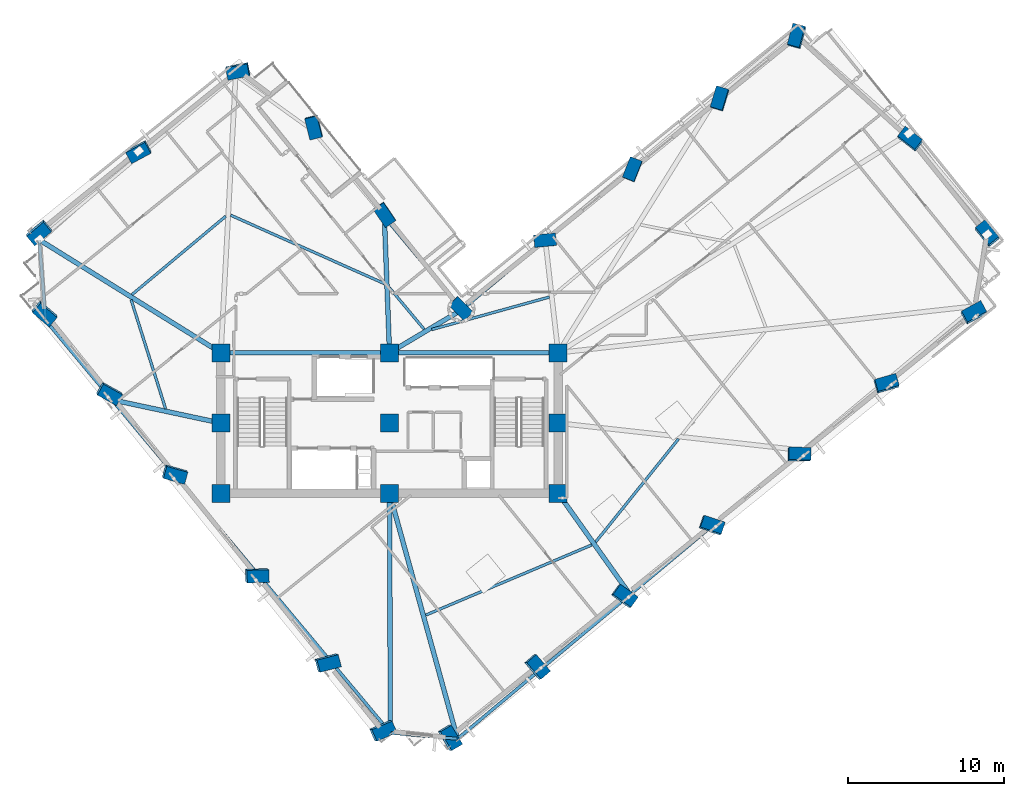
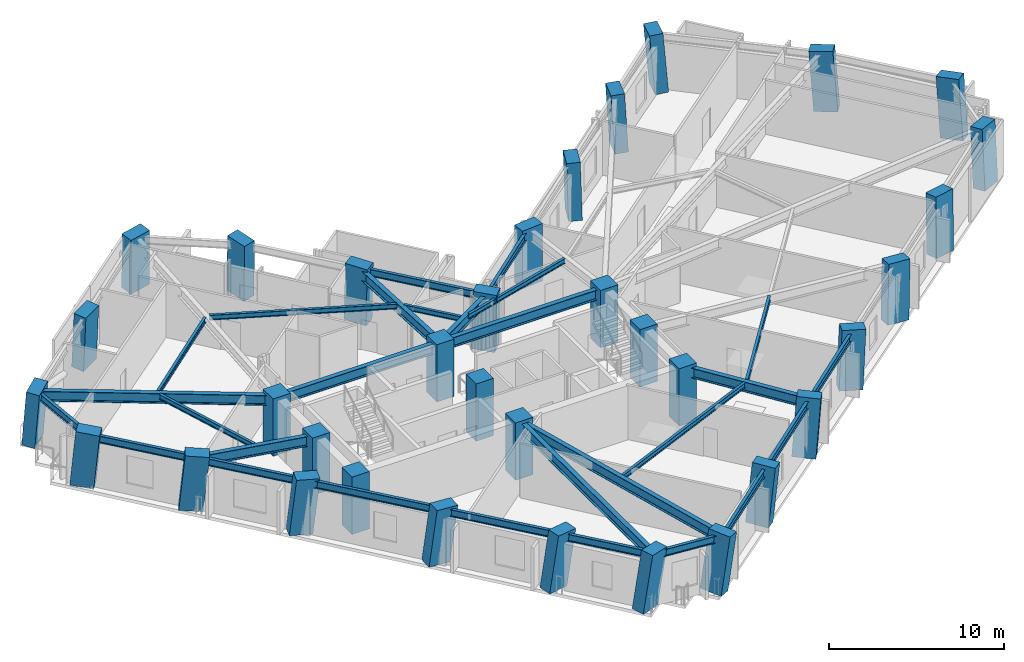
# One storey, part 1 of 14: 34 columns, 28 beams.
"""IFC4 building model written with IfcOpenShell, lengths in metres."""

from ifc_helpers import new_model, si_unit, direction, frame, origin, origin_2d, place, context, subcontext, project, spatial, rectangle, i_section, extrude, material, material_profile, profile_set, type_object, element, save


model = new_model("IFC4")

# Units and contexts
model_context = context("Model", 3, precision=1e-05, world=origin(), true_north=direction((0.0, 1.0)))
body_context = subcontext(model_context, "Body", "Model", "MODEL_VIEW")
ifc_project = project(units=[si_unit("LENGTHUNIT", "METRE"), si_unit("AREAUNIT", "SQUARE_METRE"), si_unit("VOLUMEUNIT", "CUBIC_METRE"), si_unit("PLANEANGLEUNIT", "RADIAN"), si_unit("MASSUNIT", "GRAM", prefix="KILO")], contexts=[model_context])

# Site, building, storey
site_placement = place(None, origin())
site = spatial("IfcSite", under=ifc_project, at=site_placement, CompositionType="ELEMENT")
building_placement = place(site_placement, origin())
building = spatial("IfcBuilding", under=site, at=building_placement, Name="Gaonmaruhae Medical Tower", CompositionType="ELEMENT")
storey_placement = place(building_placement, frame((0.0, 0.0, 189.800048828125)))
storey = spatial("IfcBuildingStorey", under=building, at=storey_placement, Name="L45", CompositionType="ELEMENT", Elevation=189.800048828125)

# Columns
ifc_material_1 = material(Name="Concrete C50/60", Category="concrete")
ifc_material_profile_1 = material_profile(ifc_material_1, rectangle(XDim=1.14990234375, YDim=1.14990234375, at=origin_2d()), Name="RC-1150x1150")
ifc_profile_set_1 = profile_set([ifc_material_profile_1], Name="Concrete C50/60")
column_type_1 = type_object("IfcColumnType", Name="CC-04 Zone 3 Core Column (RC-1150x1150)", PredefinedType="COLUMN", material=ifc_profile_set_1)
for number, where, z_axis, x_axis, name in (
    (1, (14.0, 7.800048828125, 0.0), (0.0, 0.0, 1.0), (1.0, 0.0, 0.0), "L45 Plumb Core Column CC11"),
    (2, (14.0, 12.300048828125, 0.0), (0.0, 0.0, 1.0), (1.0, 0.0, 0.0), "L45 Plumb Core Column CC12"),
    (3, (14.0, 16.800048828125, 0.0), (0.0, 0.0, 1.0), (1.0, 0.0, 0.0), "L45 Plumb Core Column CC13"),
    (4, (24.800048828125, 7.800048828125, 0.0), (0.0, 0.0, 1.0), (1.0, 0.0, 0.0), "L45 Plumb Core Column CC21"),
    (5, (24.800048828125, 12.300048828125, 0.0), (0.0, 0.0, 1.0), (1.0, 0.0, 0.0), "L45 Plumb Core Column CC22"),
    (6, (24.800048828125, 16.800048828125, 0.0), (0.0, 0.0, 1.0), (1.0, 0.0, 0.0), "L45 Plumb Core Column CC23"),
    (7, (35.60009765625, 7.800048828125, 0.0), (0.0, 0.0, 1.0), (1.0, 0.0, 0.0), "L45 Plumb Core Column CC31"),
    (8, (35.60009765625, 12.300048828125, 0.0), (0.0, 0.0, 1.0), (1.0, 0.0, 0.0), "L45 Plumb Core Column CC32"),
    (9, (35.60009765625, 16.800048828125, 0.0), (0.0, 0.0, 1.0), (1.0, 0.0, 0.0), "L45 Plumb Core Column CC33"),
):
    element("IfcColumn", number, at=place(storey_placement, frame(where, z_axis=z_axis, x_axis=x_axis)), inside=storey, type_object=column_type_1, Name=name, PredefinedType="COLUMN", context=body_context, shape_type="SweptSolid", body=[
        extrude(rectangle(XDim=1.14990234375, YDim=1.14990234375, at=origin_2d()), origin(), (0.0, 0.0, 1.0), 4.0),
    ])
ifc_material_2 = material(Name="Concrete C60/75", Category="concrete")
ifc_material_profile_2 = material_profile(ifc_material_2, rectangle(XDim=1.39990234375, YDim=0.800048828125, at=origin_2d()), Name="RC-1400x800")
ifc_profile_set_2 = profile_set([ifc_material_profile_2], Name="Concrete C60/75")
column_type_2 = type_object("IfcColumnType", Name="TC-02 Mid Raking Tube Pier Column (RC-1400x800)", PredefinedType="COLUMN", material=ifc_profile_set_2)
column_1_placement = place(storey_placement, frame((28.61181640625, -7.842529296875, 0.001708984375), z_axis=(0.134188369459, -0.01936864151, 0.990766540224), x_axis=(-0.505348543025, 0.858695864403, 0.085230643075)))
element("IfcColumn", 10, at=column_1_placement, inside=storey, type_object=column_type_2, Name="L45 Perimeter Tube Column S01", PredefinedType="COLUMN", context=body_context, shape_type="SweptSolid", body=[
    extrude(rectangle(XDim=1.39990234375, YDim=0.800048828125, at=origin_2d()), origin(), (0.0, 0.0, 1.0), 4.03369140625),
])
column_2_placement = place(storey_placement, frame((34.211181640625, -3.31640625, 0.001708984375), z_axis=(0.11571734579, 0.003519457816, 0.993275948214), x_axis=(-0.647768426001, 0.758353063071, 0.072778417174)))
element("IfcColumn", 11, at=column_2_placement, inside=storey, type_object=column_type_2, Name="L45 Perimeter Tube Column S02", PredefinedType="COLUMN", context=body_context, shape_type="SweptSolid", body=[
    extrude(rectangle(XDim=1.39990234375, YDim=0.800048828125, at=origin_2d()), origin(), (0.0, 0.0, 1.0), 4.0234375),
])
column_3_placement = place(storey_placement, frame((39.810546875, 1.2099609375, 0.001708984375), z_axis=(0.097067643162, 0.026379058943, 0.994928147104), x_axis=(-0.807512006484, 0.586451896381, 0.063233951452)))
element("IfcColumn", 12, at=column_3_placement, inside=storey, type_object=column_type_2, Name="L45 Perimeter Tube Column S03", PredefinedType="COLUMN", context=body_context, shape_type="SweptSolid", body=[
    extrude(rectangle(XDim=1.39990234375, YDim=0.800048828125, at=origin_2d()), origin(), (0.0, 0.0, 1.0), 4.0166015625),
])
column_4_placement = place(storey_placement, frame((45.409912109375, 5.736083984375, 0.001708984375), z_axis=(0.078286659475, 0.049392981735, 0.995706549292), x_axis=(-0.944360032842, 0.323725114048, 0.058190883356)))
element("IfcColumn", 13, at=column_4_placement, inside=storey, type_object=column_type_2, Name="L45 Perimeter Tube Column S04", PredefinedType="COLUMN", context=body_context, shape_type="SweptSolid", body=[
    extrude(rectangle(XDim=1.39990234375, YDim=0.800048828125, at=origin_2d()), origin(), (0.0, 0.0, 1.0), 4.013671875),
])
column_5_placement = place(storey_placement, frame((51.00927734375, 10.262451171875, 0.001708984375), z_axis=(0.059363348955, 0.072318669987, 0.995613380169), x_axis=(-0.998222050572, 0.009656049796, 0.058817501262)))
element("IfcColumn", 14, at=column_5_placement, inside=storey, type_object=column_type_2, Name="L45 Perimeter Tube Column S05", PredefinedType="COLUMN", context=body_context, shape_type="SweptSolid", body=[
    extrude(rectangle(XDim=1.39990234375, YDim=0.800048828125, at=origin_2d()), origin(), (0.0, 0.0, 1.0), 4.013916015625),
])
column_6_placement = place(storey_placement, frame((56.608642578125, 14.788818359375, 0.001708984375), z_axis=(0.040468561583, 0.095155806966, 0.994639466301), x_axis=(-0.960371938901, -0.271035474756, 0.065003926005)))
element("IfcColumn", 15, at=column_6_placement, inside=storey, type_object=column_type_2, Name="L45 Perimeter Tube Column S06", PredefinedType="COLUMN", context=body_context, shape_type="SweptSolid", body=[
    extrude(rectangle(XDim=1.39990234375, YDim=0.800048828125, at=origin_2d()), origin(), (0.0, 0.0, 1.0), 4.017822265625),
])
column_7_placement = place(storey_placement, frame((62.2080078125, 19.31494140625, 0.001708984375), z_axis=(0.021591623712, 0.117904821617, 0.992790136345), x_axis=(-0.87739579049, -0.473812861045, 0.075352501881)))
element("IfcColumn", 16, at=column_7_placement, inside=storey, type_object=column_type_2, Name="L45 Perimeter Tube Column S07", PredefinedType="COLUMN", context=body_context, shape_type="SweptSolid", body=[
    extrude(rectangle(XDim=1.39990234375, YDim=0.800048828125, at=origin_2d()), origin(), (0.0, 0.0, 1.0), 4.025390625),
])
column_8_placement = place(storey_placement, frame((63.064697265625, 24.37939453125, 0.001708984375), z_axis=(0.00072768673, 0.121220481061, 0.992625339916), x_axis=(0.623996645907, -0.775719377795, 0.09427424256)))
element("IfcColumn", 17, at=column_8_placement, inside=storey, type_object=column_type_2, Name="L45 Perimeter Tube Column E01", PredefinedType="COLUMN", context=body_context, shape_type="SweptSolid", body=[
    extrude(rectangle(XDim=1.39990234375, YDim=0.800048828125, at=origin_2d()), origin(), (0.0, 0.0, 1.0), 4.026123046875),
])
column_9_placement = place(storey_placement, frame((58.1611328125, 30.4453125, 0.001708984375), z_axis=(-0.024061064309, 0.101105078309, 0.994584751705), x_axis=(0.790635707112, -0.606928768275, 0.080824803618)))
element("IfcColumn", 18, at=column_9_placement, inside=storey, type_object=column_type_2, Name="L45 Perimeter Tube Column E02", PredefinedType="COLUMN", context=body_context, shape_type="SweptSolid", body=[
    extrude(rectangle(XDim=1.39990234375, YDim=0.800048828125, at=origin_2d()), origin(), (0.0, 0.0, 1.0), 4.01806640625),
])
column_10_placement = place(storey_placement, frame((50.896728515625, 37.0458984375, 0.001708984375), z_axis=(-0.051119669186, 0.071019826119, 0.996164124891), x_axis=(-0.265346985854, -0.96258245747, 0.055008996258)))
element("IfcColumn", 19, at=column_10_placement, inside=storey, type_object=column_type_2, Name="L45 Perimeter Tube Column E03", PredefinedType="COLUMN", context=body_context, shape_type="SweptSolid", body=[
    extrude(rectangle(XDim=1.39990234375, YDim=0.800048828125, at=origin_2d()), origin(), (0.0, 0.0, 1.0), 4.01171875),
])
column_11_placement = place(storey_placement, frame((45.95849609375, 33.05419921875, 0.001708984375), z_axis=(-0.034573200361, 0.050792726456, 0.998110611483), x_axis=(-0.289833245681, -0.956297423836, 0.038625469103)))
element("IfcColumn", 20, at=column_11_placement, inside=storey, type_object=column_type_2, Name="L45 Perimeter Tube Column EN01", PredefinedType="COLUMN", context=body_context, shape_type="SweptSolid", body=[
    extrude(rectangle(XDim=1.39990234375, YDim=0.800048828125, at=origin_2d()), origin(), (0.0, 0.0, 1.0), 4.00390625),
])
column_12_placement = place(storey_placement, frame((40.359130859375, 28.52783203125, 0.001708984375), z_axis=(-0.015692361565, 0.02790431609, 0.999487418096), x_axis=(-0.369875503561, -0.928863327124, 0.02012539166)))
element("IfcColumn", 21, at=column_12_placement, inside=storey, type_object=column_type_2, Name="L45 Perimeter Tube Column EN02", PredefinedType="COLUMN", context=body_context, shape_type="SweptSolid", body=[
    extrude(rectangle(XDim=1.39990234375, YDim=0.800048828125, at=origin_2d()), origin(), (0.0, 0.0, 1.0), 3.998291015625),
])
column_13_placement = place(storey_placement, frame((34.759765625, 24.00146484375, 0.001708984375), z_axis=(0.003237771962, 0.004887202961, 0.999982815892), x_axis=(-0.995513971881, -0.094542846934, 0.003685360637)))
element("IfcColumn", 22, at=column_13_placement, inside=storey, type_object=column_type_2, Name="L45 Perimeter Tube Column EN03", PredefinedType="COLUMN", context=body_context, shape_type="SweptSolid", body=[
    extrude(rectangle(XDim=1.39990234375, YDim=0.800048828125, at=origin_2d()), origin(), (0.0, 0.0, 1.0), 3.996337890625),
])
column_14_placement = place(storey_placement, frame((29.354736328125, 19.632568359375, 0.001708984375), z_axis=(0.021556852315, -0.017465325105, 0.999615058179), x_axis=(-0.70601495746, 0.707659307079, 0.027589580415)))
element("IfcColumn", 23, at=column_14_placement, inside=storey, type_object=column_type_2, Name="L45 Perimeter Tube Column KN01", PredefinedType="COLUMN", context=body_context, shape_type="SweptSolid", body=[
    extrude(rectangle(XDim=1.39990234375, YDim=0.800048828125, at=origin_2d()), origin(), (0.0, 0.0, 1.0), 3.997802734375),
])
column_15_placement = place(storey_placement, frame((24.482666015625, 25.65966796875, 0.001708984375), z_axis=(-0.003235498094, -0.037788175848, 0.999280533843), x_axis=(-0.560052946026, 0.827931598079, 0.029495195374)))
element("IfcColumn", 24, at=column_15_placement, inside=storey, type_object=column_type_2, Name="L45 Perimeter Tube Column NE01", PredefinedType="COLUMN", context=body_context, shape_type="SweptSolid", body=[
    extrude(rectangle(XDim=1.39990234375, YDim=0.800048828125, at=origin_2d()), origin(), (0.0, 0.0, 1.0), 3.999267578125),
])
column_16_placement = place(storey_placement, frame((19.95654296875, 31.259033203125, 0.001708984375), z_axis=(-0.026278786715, -0.056703646508, 0.998045150202), x_axis=(-0.244001463205, 0.968556128777, 0.048603614706)))
element("IfcColumn", 25, at=column_16_placement, inside=storey, type_object=column_type_2, Name="L45 Perimeter Tube Column NE02", PredefinedType="COLUMN", context=body_context, shape_type="SweptSolid", body=[
    extrude(rectangle(XDim=1.39990234375, YDim=0.800048828125, at=origin_2d()), origin(), (0.0, 0.0, 1.0), 4.004150390625),
])
column_17_placement = place(storey_placement, frame((15.1123046875, 34.865478515625, 0.001708984375), z_axis=(-0.040897879043, -0.076683523206, 0.996216342347), x_axis=(0.980913526392, 0.186611303364, 0.054634011361)))
element("IfcColumn", 26, at=column_17_placement, inside=storey, type_object=column_type_2, Name="L45 Perimeter Tube Column N01", PredefinedType="COLUMN", context=body_context, shape_type="SweptSolid", body=[
    extrude(rectangle(XDim=1.39990234375, YDim=0.800048828125, at=origin_2d()), origin(), (0.0, 0.0, 1.0), 4.011474609375),
])
column_18_placement = place(storey_placement, frame((8.7353515625, 29.71044921875, 0.001708984375), z_axis=(-0.019381494767, -0.102618635304, 0.994531936817), x_axis=(0.880214940794, 0.470012359897, 0.06565089144)))
element("IfcColumn", 27, at=column_18_placement, inside=storey, type_object=column_type_2, Name="L45 Perimeter Tube Column N02", PredefinedType="COLUMN", context=body_context, shape_type="SweptSolid", body=[
    extrude(rectangle(XDim=1.39990234375, YDim=0.800048828125, at=origin_2d()), origin(), (0.0, 0.0, 1.0), 4.018310546875),
])
column_19_placement = place(storey_placement, frame((2.3583984375, 24.5556640625, 0.001708984375), z_axis=(0.002059888471, -0.128440104632, 0.991715128644), x_axis=(0.767597675222, 0.635824445895, 0.08075322282)))
element("IfcColumn", 28, at=column_19_placement, inside=storey, type_object=column_type_2, Name="L45 Perimeter Tube Column N03", PredefinedType="COLUMN", context=body_context, shape_type="SweptSolid", body=[
    extrude(rectangle(XDim=1.39990234375, YDim=0.800048828125, at=origin_2d()), origin(), (0.0, 0.0, 1.0), 4.02978515625),
])
column_20_placement = place(storey_placement, frame((2.697021484375, 19.364501953125, 0.001708984375), z_axis=(0.023384150033, -0.126855984896, 0.991645471236), x_axis=(-0.758030306709, 0.644458280731, 0.100317388859)))
element("IfcColumn", 29, at=column_20_placement, inside=storey, type_object=column_type_2, Name="L45 Perimeter Tube Column W01", PredefinedType="COLUMN", context=body_context, shape_type="SweptSolid", body=[
    extrude(rectangle(XDim=1.39990234375, YDim=0.800048828125, at=origin_2d()), origin(), (0.0, 0.0, 1.0), 4.030029296875),
])
column_21_placement = place(storey_placement, frame((6.845947265625, 14.231689453125, 0.001708984375), z_axis=(0.044404229048, -0.109736680802, 0.992968340547), x_axis=(-0.872402548556, 0.480039656489, 0.092063681601)))
element("IfcColumn", 30, at=column_21_placement, inside=storey, type_object=column_type_2, Name="L45 Perimeter Tube Column W02", PredefinedType="COLUMN", context=body_context, shape_type="SweptSolid", body=[
    extrude(rectangle(XDim=1.39990234375, YDim=0.800048828125, at=origin_2d()), origin(), (0.0, 0.0, 1.0), 4.024658203125),
])
column_22_placement = place(storey_placement, frame((11.026611328125, 9.06005859375, 0.001708984375), z_axis=(0.065553330319, -0.092442335256, 0.993557837036), x_axis=(-0.959753413855, 0.266656942826, 0.088133191453)))
element("IfcColumn", 31, at=column_22_placement, inside=storey, type_object=column_type_2, Name="L45 Perimeter Tube Column W03", PredefinedType="COLUMN", context=body_context, shape_type="SweptSolid", body=[
    extrude(rectangle(XDim=1.39990234375, YDim=0.800048828125, at=origin_2d()), origin(), (0.0, 0.0, 1.0), 4.022216796875),
])
column_23_placement = place(storey_placement, frame((16.275634765625, 2.56640625, 0.001708984375), z_axis=(0.09217000696, -0.070568609674, 0.993239528586), x_axis=(-0.995477724746, -0.029566027912, 0.090277070892)))
element("IfcColumn", 32, at=column_23_placement, inside=storey, type_object=column_type_2, Name="L45 Perimeter Tube Column W04", PredefinedType="COLUMN", context=body_context, shape_type="SweptSolid", body=[
    extrude(rectangle(XDim=1.39990234375, YDim=0.800048828125, at=origin_2d()), origin(), (0.0, 0.0, 1.0), 4.0234375),
])
column_24_placement = place(storey_placement, frame((20.802001953125, -3.032958984375, 0.001708984375), z_axis=(0.114905590826, -0.051695395029, 0.99203038831), x_axis=(-0.961494573096, -0.256761387192, 0.097988652167)))
element("IfcColumn", 33, at=column_24_placement, inside=storey, type_object=column_type_2, Name="L45 Perimeter Tube Column W05", PredefinedType="COLUMN", context=body_context, shape_type="SweptSolid", body=[
    extrude(rectangle(XDim=1.39990234375, YDim=0.800048828125, at=origin_2d()), origin(), (0.0, 0.0, 1.0), 4.028564453125),
])
column_25_placement = place(storey_placement, frame((24.322509765625, -7.387939453125, 0.001708984375), z_axis=(0.132457520683, -0.037032436116, 0.990496645067), x_axis=(-0.911120791238, -0.398017702916, 0.106961731189)))
element("IfcColumn", 34, at=column_25_placement, inside=storey, type_object=column_type_2, Name="L45 Perimeter Tube Column W06", PredefinedType="COLUMN", context=body_context, shape_type="SweptSolid", body=[
    extrude(rectangle(XDim=1.39990234375, YDim=0.800048828125, at=origin_2d()), origin(), (0.0, 0.0, 1.0), 4.03466796875),
])

# Beams
ifc_material_3 = material(Name="Steel SM355", Category="steel")
ifc_material_profile_3 = material_profile(ifc_material_3, i_section(OverallWidth=0.175048828125, OverallDepth=0.35009765625, WebThickness=0.007080078125, FlangeThickness=0.010986328125, FilletRadius=0.012939453125, at=origin_2d()), Name="H-350x175x7x11")
ifc_profile_set_3 = profile_set([ifc_material_profile_3], Name="Steel SM355")
beam_type_1 = type_object("IfcBeamType", Name="FJ-02 Upper Zone Ward Floor Joist (H-350x175x7x11)", PredefinedType="JOIST", material=ifc_profile_set_3)
beam_1_placement = place(storey_placement, frame((27.12158203125, 0.0009765625, 3.60498046875), z_axis=(0.921067055994, 0.389404004039, 0.0), x_axis=(-0.389404004039, 0.921067055994, 0.0)))
element("IfcBeam", 35, at=beam_1_placement, inside=storey, type_object=beam_type_1, Name="L45 Secondary Floor Joist FJ01", PredefinedType="JOIST", context=body_context, shape_type="SweptSolid", body=[
    extrude(i_section(OverallWidth=0.175048828125, OverallDepth=0.35009765625, WebThickness=0.007080078125, FlangeThickness=0.010986328125, FilletRadius=0.012939453125, at=origin_2d()), origin(), (0.0, 0.0, 1.0), 11.54296875),
])
beam_2_placement = place(storey_placement, frame((38.001708984375, 4.68408203125, 3.60498046875), z_axis=(0.626696996402, 0.779263033064, 0.0), x_axis=(-0.779263033064, 0.626696996402, 0.0)))
element("IfcBeam", 36, at=beam_2_placement, inside=storey, type_object=beam_type_1, Name="L45 Secondary Floor Joist FJ02", PredefinedType="JOIST", context=body_context, shape_type="SweptSolid", body=[
    extrude(i_section(OverallWidth=0.175048828125, OverallDepth=0.35009765625, WebThickness=0.007080078125, FlangeThickness=0.010986328125, FilletRadius=0.012939453125, at=origin_2d()), origin(), (0.0, 0.0, 1.0), 8.468505859375),
])
beam_3_placement = place(storey_placement, frame((35.034423828125, 20.368408203125, 3.60498046875), z_axis=(-0.963869543802, -0.266374740789, 0.0), x_axis=(0.266374740789, -0.963869543802, 0.0)))
element("IfcBeam", 37, at=beam_3_placement, inside=storey, type_object=beam_type_1, Name="L45 Secondary Floor Joist FJ07", PredefinedType="JOIST", context=body_context, shape_type="SweptSolid", body=[
    extrude(i_section(OverallWidth=0.175048828125, OverallDepth=0.35009765625, WebThickness=0.007080078125, FlangeThickness=0.010986328125, FilletRadius=0.012939453125, at=origin_2d()), origin(), (0.0, 0.0, 1.0), 7.809814453125),
])
beam_4_placement = place(storey_placement, frame((27.019287109375, 18.302490234375, 3.60498046875), z_axis=(-0.641479087, 0.767140522292, 0.0), x_axis=(-0.767140522292, -0.641479087, 0.0)))
element("IfcBeam", 38, at=beam_4_placement, inside=storey, type_object=beam_type_1, Name="L45 Secondary Floor Joist FJ08", PredefinedType="JOIST", context=body_context, shape_type="SweptSolid", body=[
    extrude(i_section(OverallWidth=0.175048828125, OverallDepth=0.35009765625, WebThickness=0.007080078125, FlangeThickness=0.010986328125, FilletRadius=0.012939453125, at=origin_2d()), origin(), (0.0, 0.0, 1.0), 3.466064453125),
])
beam_5_placement = place(storey_placement, frame((24.476806640625, 21.224609375, 3.60498046875), z_axis=(-0.913520949489, 0.406791684828, 0.0), x_axis=(-0.406791684828, -0.913520949489, 0.0)))
element("IfcBeam", 39, at=beam_5_placement, inside=storey, type_object=beam_type_1, Name="L45 Secondary Floor Joist FJ09", PredefinedType="JOIST", context=body_context, shape_type="SweptSolid", body=[
    extrude(i_section(OverallWidth=0.175048828125, OverallDepth=0.35009765625, WebThickness=0.007080078125, FlangeThickness=0.010986328125, FilletRadius=0.012939453125, at=origin_2d()), origin(), (0.0, 0.0, 1.0), 10.783203125),
])
beam_6_placement = place(storey_placement, frame((14.312255859375, 25.54345703125, 3.60498046875), z_axis=(-0.767174290438, -0.641438701741, 0.0), x_axis=(0.641438701741, -0.767174290438, 0.0)))
element("IfcBeam", 40, at=beam_6_placement, inside=storey, type_object=beam_type_1, Name="L45 Secondary Floor Joist FJ10", PredefinedType="JOIST", context=body_context, shape_type="SweptSolid", body=[
    extrude(i_section(OverallWidth=0.175048828125, OverallDepth=0.35009765625, WebThickness=0.007080078125, FlangeThickness=0.010986328125, FilletRadius=0.012939453125, at=origin_2d()), origin(), (0.0, 0.0, 1.0), 7.824951171875),
])
beam_7_placement = place(storey_placement, frame((8.254638671875, 20.193359375, 3.60498046875), z_axis=(0.301185653062, -0.953565520764, 0.0), x_axis=(0.953565520764, 0.301185653062, 0.0)))
element("IfcBeam", 41, at=beam_7_placement, inside=storey, type_object=beam_type_1, Name="L45 Secondary Floor Joist FJ11", PredefinedType="JOIST", context=body_context, shape_type="SweptSolid", body=[
    extrude(i_section(OverallWidth=0.175048828125, OverallDepth=0.35009765625, WebThickness=0.007080078125, FlangeThickness=0.010986328125, FilletRadius=0.012939453125, at=origin_2d()), origin(), (0.0, 0.0, 1.0), 7.318115234375),
])
ifc_material_4 = material(Name="Steel SM420", Category="steel")
ifc_material_profile_4 = material_profile(ifc_material_4, i_section(OverallWidth=0.300048828125, OverallDepth=0.699951171875, WebThickness=0.012939453125, FlangeThickness=0.02392578125, FilletRadius=0.01806640625, at=origin_2d()), Name="H-700x300x13x24")
ifc_profile_set_4 = profile_set([ifc_material_profile_4], Name="Steel SM420")
beam_type_2 = type_object("IfcBeamType", Name="PG-03 Zone 3 Radial Floor Girder (H-700x300x13x24)", PredefinedType="BEAM", material=ifc_profile_set_4)
for number, where, z_axis, x_axis, name in (
    (42, (14.050048828125, 16.800048828125, 3.429931640625), (1.0, 0.0, 0.0), (0.0, 1.0, 0.0), "L45 Beam BM-L45-CG-N1"),
    (43, (24.85009765625, 16.800048828125, 3.429931640625), (1.0, 0.0, 0.0), (0.0, 1.0, 0.0), "L45 Beam BM-L45-CG-N2"),
):
    element("IfcBeam", number, at=place(storey_placement, frame(where, z_axis=z_axis, x_axis=x_axis)), inside=storey, type_object=beam_type_2, Name=name, PredefinedType="BEAM", context=body_context, shape_type="SweptSolid", body=[
        extrude(i_section(OverallWidth=0.300048828125, OverallDepth=0.699951171875, WebThickness=0.012939453125, FlangeThickness=0.02392578125, FilletRadius=0.01806640625, at=origin_2d()), origin(), (0.0, 0.0, 1.0), 10.699951171875),
    ])
beam_8_placement = place(storey_placement, frame((24.813232421875, 7.751708984375, 3.429931640625), z_axis=(0.266889626542, -0.96372710206, 0.0), x_axis=(0.96372710206, 0.266889626542, 0.0)))
element("IfcBeam", 44, at=beam_8_placement, inside=storey, type_object=beam_type_2, Name="L45 Radial Primary Girder S01", PredefinedType="BEAM", context=body_context, shape_type="SweptSolid", body=[
    extrude(i_section(OverallWidth=0.300048828125, OverallDepth=0.699951171875, WebThickness=0.012939453125, FlangeThickness=0.02392578125, FilletRadius=0.01806640625, at=origin_2d()), origin(), (0.0, 0.0, 1.0), 16.21240234375),
])
beam_9_placement = place(storey_placement, frame((35.62890625, 7.75927734375, 3.429931640625), z_axis=(0.57867294527, -0.815559698865, 0.0), x_axis=(0.815559698865, 0.57867294527, 0.0)))
element("IfcBeam", 45, at=beam_9_placement, inside=storey, type_object=beam_type_2, Name="L45 Radial Primary Girder S03", PredefinedType="BEAM", context=body_context, shape_type="SweptSolid", body=[
    extrude(i_section(OverallWidth=0.300048828125, OverallDepth=0.699951171875, WebThickness=0.012939453125, FlangeThickness=0.02392578125, FilletRadius=0.01806640625, at=origin_2d()), origin(), (0.0, 0.0, 1.0), 7.850341796875),
])
beam_10_placement = place(storey_placement, frame((24.843017578125, 16.82568359375, 3.429931640625), z_axis=(0.859259627701, 0.511539726906, 0.0), x_axis=(-0.511539726906, 0.859259627701, 0.0)))
element("IfcBeam", 46, at=beam_10_placement, inside=storey, type_object=beam_type_2, Name="L45 Radial Primary Girder KN01", PredefinedType="BEAM", context=body_context, shape_type="SweptSolid", body=[
    extrude(i_section(OverallWidth=0.300048828125, OverallDepth=0.699951171875, WebThickness=0.012939453125, FlangeThickness=0.02392578125, FilletRadius=0.01806640625, at=origin_2d()), origin(), (0.0, 0.0, 1.0), 5.301025390625),
])
beam_11_placement = place(storey_placement, frame((24.798095703125, 16.849853515625, 3.429931640625), z_axis=(-0.037890017894, 0.999281915449, 0.0), x_axis=(-0.999281915449, -0.037890017894, 0.0)))
element("IfcBeam", 47, at=beam_11_placement, inside=storey, type_object=beam_type_2, Name="L45 Radial Primary Girder NE01", PredefinedType="BEAM", context=body_context, shape_type="SweptSolid", body=[
    extrude(i_section(OverallWidth=0.300048828125, OverallDepth=0.699951171875, WebThickness=0.012939453125, FlangeThickness=0.02392578125, FilletRadius=0.01806640625, at=origin_2d()), origin(), (0.0, 0.0, 1.0), 8.61474609375),
])
beam_12_placement = place(storey_placement, frame((13.95751953125, 16.826416015625, 3.429931640625), z_axis=(-0.849075569368, 0.528271405152, 0.0), x_axis=(-0.528271405152, -0.849075569368, 0.0)))
element("IfcBeam", 48, at=beam_12_placement, inside=storey, type_object=beam_type_2, Name="L45 Radial Primary Girder N03", PredefinedType="BEAM", context=body_context, shape_type="SweptSolid", body=[
    extrude(i_section(OverallWidth=0.300048828125, OverallDepth=0.699951171875, WebThickness=0.012939453125, FlangeThickness=0.02392578125, FilletRadius=0.01806640625, at=origin_2d()), origin(), (0.0, 0.0, 1.0), 13.60107421875),
])
beam_13_placement = place(storey_placement, frame((13.951171875, 12.310546875, 3.429931640625), z_axis=(-0.977947477803, 0.208850977155, 0.0), x_axis=(-0.208850977155, -0.977947477803, 0.0)))
element("IfcBeam", 49, at=beam_13_placement, inside=storey, type_object=beam_type_2, Name="L45 Radial Primary Girder W02", PredefinedType="BEAM", context=body_context, shape_type="SweptSolid", body=[
    extrude(i_section(OverallWidth=0.300048828125, OverallDepth=0.699951171875, WebThickness=0.012939453125, FlangeThickness=0.02392578125, FilletRadius=0.01806640625, at=origin_2d()), origin(), (0.0, 0.0, 1.0), 7.032470703125),
])
beam_14_placement = place(storey_placement, frame((24.80029296875, 7.75, 3.429931640625), z_axis=(0.003717208184, -0.999993091158, 0.0), x_axis=(0.999993091158, 0.003717208184, 0.0)))
element("IfcBeam", 50, at=beam_14_placement, inside=storey, type_object=beam_type_2, Name="L45 Radial Primary Girder W06", PredefinedType="BEAM", context=body_context, shape_type="SweptSolid", body=[
    extrude(i_section(OverallWidth=0.300048828125, OverallDepth=0.699951171875, WebThickness=0.012939453125, FlangeThickness=0.02392578125, FilletRadius=0.01806640625, at=origin_2d()), origin(), (0.0, 0.0, 1.0), 15.2373046875),
])
ifc_material_profile_5 = material_profile(ifc_material_3, i_section(OverallWidth=0.199951171875, OverallDepth=0.5, WebThickness=0.010009765625, FlangeThickness=0.01611328125, FilletRadius=0.012939453125, at=origin_2d()), Name="H-500x200x10x16")
ifc_profile_set_5 = profile_set([ifc_material_profile_5], Name="Steel SM355")
beam_type_3 = type_object("IfcBeamType", Name="SP-02 Upper Perimeter Spandrel Beam (H-500x200x10x16)", PredefinedType="SPANDREL", material=ifc_profile_set_5)
for number, where, z_axis, x_axis, name in (
    (51, (29.18408203125, -7.89501953125, 3.530029296875), (0.767177497257, 0.641434866298, 0.0), (-0.641434866298, 0.767177497257, 0.0), "L45 Perimeter Spandrel Beam S01-S02"),
    (52, (34.707763671875, -3.276611328125, 3.530029296875), (0.767160623285, 0.641455047592, 0.0), (-0.641455047592, 0.767160623285, 0.0), "L45 Perimeter Spandrel Beam S02-S03"),
):
    element("IfcBeam", number, at=place(storey_placement, frame(where, z_axis=z_axis, x_axis=x_axis)), inside=storey, type_object=beam_type_3, Name=name, PredefinedType="SPANDREL", context=body_context, shape_type="SweptSolid", body=[
        extrude(i_section(OverallWidth=0.199951171875, OverallDepth=0.5, WebThickness=0.010009765625, FlangeThickness=0.01611328125, FilletRadius=0.012939453125, at=origin_2d()), origin(), (0.0, 0.0, 1.0), 7.119873046875),
    ])
beam_15_placement = place(storey_placement, frame((40.231201171875, 1.341796875, 3.530029296875), z_axis=(0.767174731673, 0.641438174014, 0.0), x_axis=(-0.641438174014, 0.767174731673, 0.0)))
element("IfcBeam", 53, at=beam_15_placement, inside=storey, type_object=beam_type_3, Name="L45 Perimeter Spandrel Beam S03-S04", PredefinedType="SPANDREL", context=body_context, shape_type="SweptSolid", body=[
    extrude(i_section(OverallWidth=0.199951171875, OverallDepth=0.5, WebThickness=0.010009765625, FlangeThickness=0.01611328125, FilletRadius=0.012939453125, at=origin_2d()), origin(), (0.0, 0.0, 1.0), 7.1201171875),
])
beam_16_placement = place(storey_placement, frame((34.7421875, 23.995361328125, 3.530029296875), z_axis=(-0.767154130285, -0.641462812941, 0.0), x_axis=(0.641462812941, -0.767154130285, 0.0)))
element("IfcBeam", 54, at=beam_16_placement, inside=storey, type_object=beam_type_3, Name="L45 Perimeter Spandrel Beam EN03-KN01", PredefinedType="SPANDREL", context=body_context, shape_type="SweptSolid", body=[
    extrude(i_section(OverallWidth=0.199951171875, OverallDepth=0.5, WebThickness=0.010009765625, FlangeThickness=0.01611328125, FilletRadius=0.012939453125, at=origin_2d()), origin(), (0.0, 0.0, 1.0), 6.8701171875),
])
beam_17_placement = place(storey_placement, frame((29.415283203125, 19.593505859375, 3.530029296875), z_axis=(-0.641442137813, 0.767171417506, 0.0), x_axis=(-0.767171417506, -0.641442137813, 0.0)))
element("IfcBeam", 55, at=beam_17_placement, inside=storey, type_object=beam_type_3, Name="L45 Perimeter Spandrel Beam KN01-NE01", PredefinedType="SPANDREL", context=body_context, shape_type="SweptSolid", body=[
    extrude(i_section(OverallWidth=0.199951171875, OverallDepth=0.5, WebThickness=0.010009765625, FlangeThickness=0.01611328125, FilletRadius=0.012939453125, at=origin_2d()), origin(), (0.0, 0.0, 1.0), 7.670166015625),
])
beam_18_placement = place(storey_placement, frame((2.369873046875, 23.998046875, 3.530029296875), z_axis=(0.081648997807, -0.996661146608, 0.0), x_axis=(0.996661146608, 0.081648997807, 0.0)))
element("IfcBeam", 56, at=beam_18_placement, inside=storey, type_object=beam_type_3, Name="L45 Perimeter Spandrel Beam N03-W01", PredefinedType="SPANDREL", context=body_context, shape_type="SweptSolid", body=[
    extrude(i_section(OverallWidth=0.199951171875, OverallDepth=0.5, WebThickness=0.010009765625, FlangeThickness=0.01611328125, FilletRadius=0.012939453125, at=origin_2d()), origin(), (0.0, 0.0, 1.0), 5.1220703125),
])
beam_19_placement = place(storey_placement, frame((2.81689453125, 18.822509765625, 3.530029296875), z_axis=(0.641457851867, -0.767158278504, 0.0), x_axis=(0.767158278504, 0.641457851867, 0.0)))
element("IfcBeam", 57, at=beam_19_placement, inside=storey, type_object=beam_type_3, Name="L45 Perimeter Spandrel Beam W01-W02", PredefinedType="SPANDREL", context=body_context, shape_type="SweptSolid", body=[
    extrude(i_section(OverallWidth=0.199951171875, OverallDepth=0.5, WebThickness=0.010009765625, FlangeThickness=0.01611328125, FilletRadius=0.012939453125, at=origin_2d()), origin(), (0.0, 0.0, 1.0), 6.52001953125),
])
beam_20_placement = place(storey_placement, frame((7.050537109375, 13.759033203125, 3.530029296875), z_axis=(0.641451832555, -0.7671633115, 0.0), x_axis=(0.7671633115, 0.641451832555, 0.0)))
element("IfcBeam", 58, at=beam_20_placement, inside=storey, type_object=beam_type_3, Name="L45 Perimeter Spandrel Beam W02-W03", PredefinedType="SPANDREL", context=body_context, shape_type="SweptSolid", body=[
    extrude(i_section(OverallWidth=0.199951171875, OverallDepth=0.5, WebThickness=0.010009765625, FlangeThickness=0.01611328125, FilletRadius=0.012939453125, at=origin_2d()), origin(), (0.0, 0.0, 1.0), 6.570068359375),
])
beam_21_placement = place(storey_placement, frame((11.316162109375, 8.657470703125, 3.530029296875), z_axis=(0.64144086328, -0.767172483158, 0.0), x_axis=(0.767172483158, 0.64144086328, 0.0)))
element("IfcBeam", 59, at=beam_21_placement, inside=storey, type_object=beam_type_3, Name="L45 Perimeter Spandrel Beam W03-W04", PredefinedType="SPANDREL", context=body_context, shape_type="SweptSolid", body=[
    extrude(i_section(OverallWidth=0.199951171875, OverallDepth=0.5, WebThickness=0.010009765625, FlangeThickness=0.01611328125, FilletRadius=0.012939453125, at=origin_2d()), origin(), (0.0, 0.0, 1.0), 8.27001953125),
])
beam_22_placement = place(storey_placement, frame((16.67236328125, 2.251708984375, 3.530029296875), z_axis=(0.641434866298, -0.767177497257, 0.0), x_axis=(0.767177497257, 0.641434866298, 0.0)))
element("IfcBeam", 60, at=beam_22_placement, inside=storey, type_object=beam_type_3, Name="L45 Perimeter Spandrel Beam W04-W05", PredefinedType="SPANDREL", context=body_context, shape_type="SweptSolid", body=[
    extrude(i_section(OverallWidth=0.199951171875, OverallDepth=0.5, WebThickness=0.010009765625, FlangeThickness=0.01611328125, FilletRadius=0.012939453125, at=origin_2d()), origin(), (0.0, 0.0, 1.0), 7.119873046875),
])
beam_23_placement = place(storey_placement, frame((21.290771484375, -3.27197265625, 3.530029296875), z_axis=(0.641458193637, -0.767157992734, 0.0), x_axis=(0.767157992734, 0.641458193637, 0.0)))
element("IfcBeam", 61, at=beam_23_placement, inside=storey, type_object=beam_type_3, Name="L45 Perimeter Spandrel Beam W05-W06", PredefinedType="SPANDREL", context=body_context, shape_type="SweptSolid", body=[
    extrude(i_section(OverallWidth=0.199951171875, OverallDepth=0.5, WebThickness=0.010009765625, FlangeThickness=0.01611328125, FilletRadius=0.012939453125, at=origin_2d()), origin(), (0.0, 0.0, 1.0), 5.519775390625),
])
beam_24_placement = place(storey_placement, frame((24.89697265625, -7.541015625, 3.530029296875), z_axis=(0.99604308567, -0.088871657404, 0.0), x_axis=(0.088871657404, 0.99604308567, 0.0)))
element("IfcBeam", 62, at=beam_24_placement, inside=storey, type_object=beam_type_3, Name="L45 Perimeter Spandrel Beam W06-S01", PredefinedType="SPANDREL", context=body_context, shape_type="SweptSolid", body=[
    extrude(i_section(OverallWidth=0.199951171875, OverallDepth=0.5, WebThickness=0.010009765625, FlangeThickness=0.01611328125, FilletRadius=0.012939453125, at=origin_2d()), origin(), (0.0, 0.0, 1.0), 4.2333984375),
])

save(model, "model.ifc")
